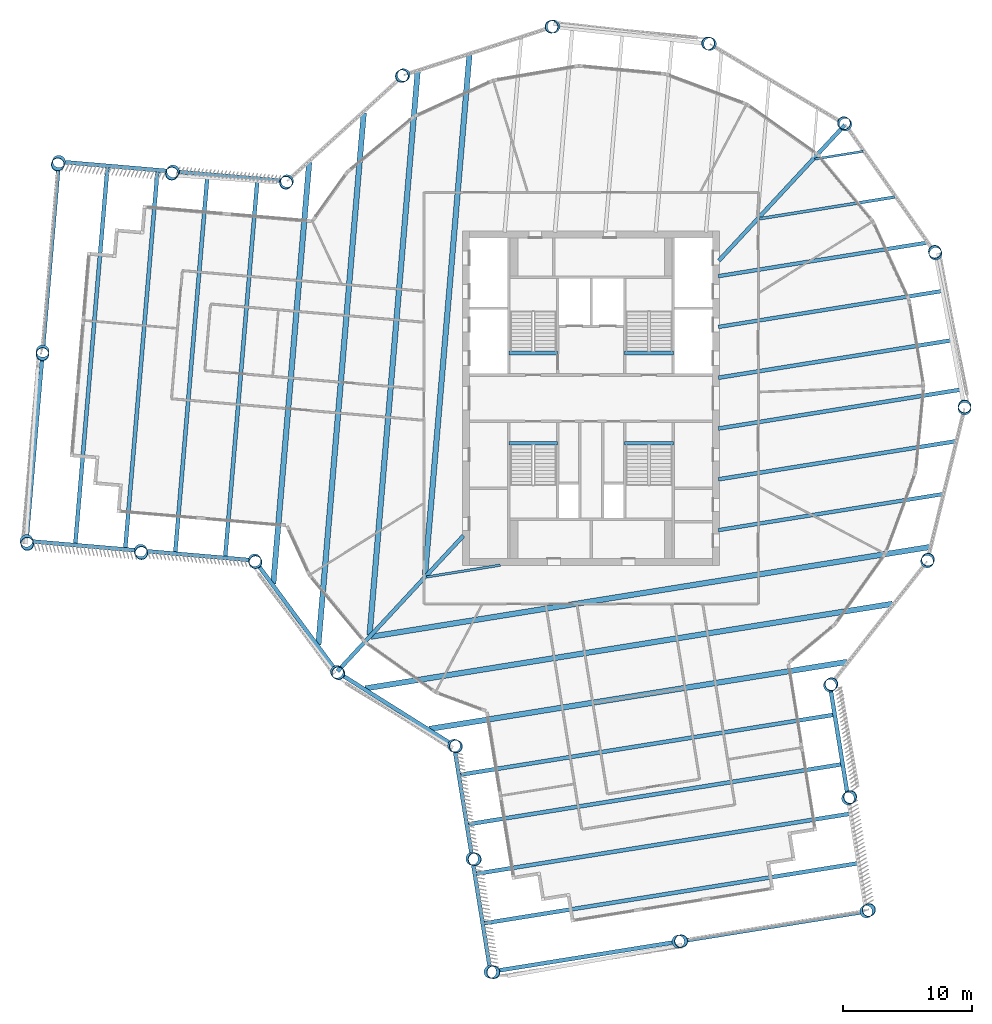
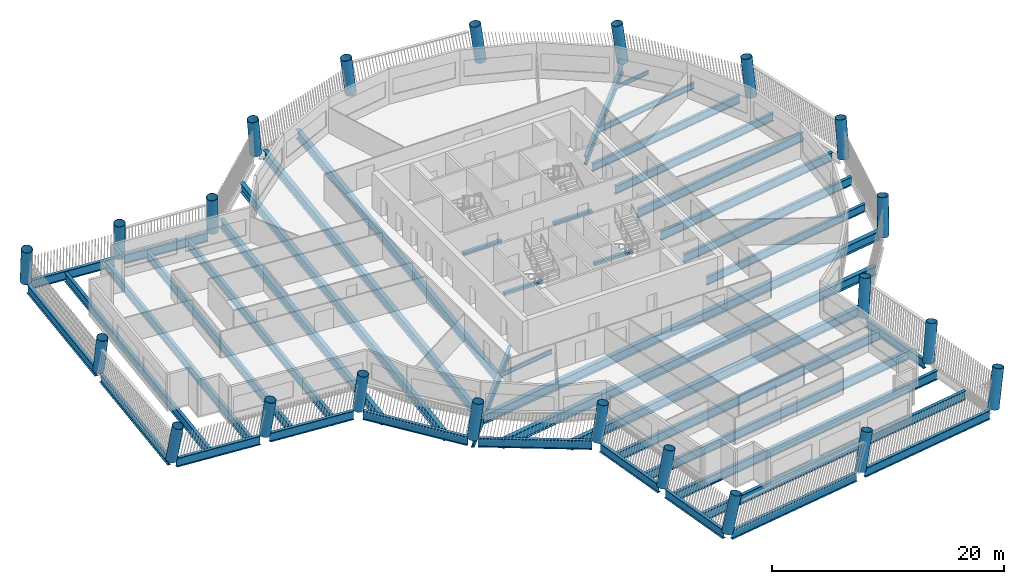
# One storey, part 1 of 14: 43 beams, 22 columns.
"""IFC4 building model written with IfcOpenShell, lengths in metres."""

from ifc_helpers import new_model, si_unit, direction, frame, origin, origin_2d, place, context, subcontext, project, spatial, rectangle, hollow_circle, i_section, extrude, material, material_profile, profile_set, type_object, element, save


model = new_model("IFC4")

# Units and contexts
model_context = context("Model", 3, precision=1e-05, world=origin(), true_north=direction((0.0, 1.0)))
body_context = subcontext(model_context, "Body", "Model", "MODEL_VIEW")
ifc_project = project(units=[si_unit("LENGTHUNIT", "METRE"), si_unit("AREAUNIT", "SQUARE_METRE"), si_unit("VOLUMEUNIT", "CUBIC_METRE"), si_unit("PLANEANGLEUNIT", "RADIAN"), si_unit("MASSUNIT", "GRAM", prefix="KILO")], contexts=[model_context])

# Site, building, storey
site_placement = place(None, origin())
site = spatial("IfcSite", under=ifc_project, at=site_placement, CompositionType="ELEMENT")
building_placement = place(site_placement, origin())
building = spatial("IfcBuilding", under=site, at=building_placement, Name="Tarsis Ring Headquarters", CompositionType="ELEMENT")
storey_placement = place(building_placement, frame((0.0, 0.0, 266.89990234375)))
storey = spatial("IfcBuildingStorey", under=building, at=storey_placement, Name="L62", CompositionType="ELEMENT", Elevation=266.89990234375)

# Columns
ifc_material_1 = material(Name="Structural steel S355", Category="steel")
ifc_material_profile_1 = material_profile(ifc_material_1, hollow_circle(Radius=0.508056640625, WallThickness=0.0400390625, at=origin_2d()), Name="CHS 1016x40")
ifc_profile_set_1 = profile_set([ifc_material_profile_1], Name="Structural steel S355")
column_type = type_object("IfcColumnType", Name="XC Exo column CHS 1016x40", PredefinedType="COLUMN", material=ifc_profile_set_1)
for number, where, z_axis, x_axis, name in (
    (1, (-19.766357421875, -21.286376953125, 0.001220703125), (0.095221337666, -0.086898011347, 0.991656005113), (0.674086544275, 0.73865237482, 0.0), "Exo column XC6 F1"),
    (2, (-10.65087890625, -27.025390625, 0.001220703125), (0.120315959676, -0.046213254517, 0.991659419838), (0.358559213518, 0.933506984656, 0.0), "Exo column XC6 AK"),
):
    element("IfcColumn", number, at=place(storey_placement, frame(where, z_axis=z_axis, x_axis=x_axis)), inside=storey, type_object=column_type, Name=name, PredefinedType="COLUMN", context=body_context, shape_type="SweptSolid", body=[
        extrude(hollow_circle(Radius=0.508056640625, WallThickness=0.0400390625, at=origin_2d()), origin(), (0.0, 0.0, 1.0), 3.930419921875),
    ])
column_1_placement = place(storey_placement, frame((-9.23974609375, -35.815185546875, 0.00146484375), z_axis=(0.158465394604, -0.039430936723, 0.986576869758), x_axis=(0.241466843515, 0.970409070177, 0.0)))
element("IfcColumn", 3, at=column_1_placement, inside=storey, type_object=column_type, Name="Exo column XC6 AI1", PredefinedType="COLUMN", context=body_context, shape_type="SweptSolid", body=[
    extrude(hollow_circle(Radius=0.508056640625, WallThickness=0.0400390625, at=origin_2d()), origin(), (0.0, 0.0, 1.0), 3.9501953125),
])
column_2_placement = place(storey_placement, frame((-7.82861328125, -44.604736328125, 0.001708984375), z_axis=(0.195928823654, -0.03266503735, 0.980073921394), x_axis=(0.16444911383, 0.986385568102, 0.0)))
element("IfcColumn", 4, at=column_2_placement, inside=storey, type_object=column_type, Name="Exo column XC6 AT1", PredefinedType="COLUMN", context=body_context, shape_type="SweptSolid", body=[
    extrude(hollow_circle(Radius=0.508056640625, WallThickness=0.0400390625, at=origin_2d()), origin(), (0.0, 0.0, 1.0), 3.976318359375),
])
column_3_placement = place(storey_placement, frame((6.7841796875, -42.2587890625, 0.00146484375), z_axis=(0.185442106243, 0.031378724016, 0.982154061699), x_axis=(-0.166838732781, 0.985984197259, 0.0)))
element("IfcColumn", 5, at=column_3_placement, inside=storey, type_object=column_type, Name="Exo column XC6 AT2", PredefinedType="COLUMN", context=body_context, shape_type="SweptSolid", body=[
    extrude(hollow_circle(Radius=0.508056640625, WallThickness=0.0400390625, at=origin_2d()), origin(), (0.0, 0.0, 1.0), 3.968017578125),
])
column_4_placement = place(storey_placement, frame((21.39697265625, -39.912841796875, 0.001708984375), z_axis=(0.174254286163, 0.095354794366, 0.980072908995), x_axis=(-0.480042833881, 0.877245049938, 0.0)))
element("IfcColumn", 6, at=column_4_placement, inside=storey, type_object=column_type, Name="Exo column XC6 AT3", PredefinedType="COLUMN", context=body_context, shape_type="SweptSolid", body=[
    extrude(hollow_circle(Radius=0.508056640625, WallThickness=0.0400390625, at=origin_2d()), origin(), (0.0, 0.0, 1.0), 3.976318359375),
])
column_5_placement = place(storey_placement, frame((19.986083984375, -31.123291015625, 0.00146484375), z_axis=(0.136587629935, 0.089430905211, 0.98658295776), x_axis=(-0.547779632603, 0.836622659331, 0.0)))
element("IfcColumn", 7, at=column_5_placement, inside=storey, type_object=column_type, Name="Exo column XC6 AO1", PredefinedType="COLUMN", context=body_context, shape_type="SweptSolid", body=[
    extrude(hollow_circle(Radius=0.508056640625, WallThickness=0.0400390625, at=origin_2d()), origin(), (0.0, 0.0, 1.0), 3.9501953125),
])
for number, where, z_axis, x_axis, name in (
    (8, (18.574951171875, -22.33349609375, 0.001220703125), (0.098389161897, 0.083295370015, 0.991655915202), (-0.646136614783, 0.763221773167, 0.0), "Exo column XC6 AJ"),
    (9, (26.129150390625, -12.691650390625, 0.001220703125), (0.055344072254, 0.116402683956, 0.991658937757), (-0.903118686514, 0.429391008369, 0.0), "Exo column XC6 R1"),
    (10, (29.03759765625, -0.793212890625, 0.001220703125), (0.002422461318, 0.128887364999, 0.991656280586), (-0.999823417374, 0.018791861821, 0.0), "Exo column XC6 R2"),
    (11, (26.783203125, 11.246337890625, 0.001220703125), (-0.050995567823, 0.118451337197, 0.991649500972), (-0.918496058624, -0.395430133262, 0.0), "Exo column XC6 R3"),
    (12, (19.766357421875, 21.286376953125, 0.001220703125), (-0.095221337666, 0.086898011347, 0.991656005113), (-0.674086544275, -0.73865237482, 0.0), "Exo column XC6 R4"),
    (13, (9.235107421875, 27.54150390625, 0.001220703125), (-0.122552229582, 0.039877613478, 0.991660590609), (-0.309423894083, -0.950924210319, 0.0), "Exo column XC6 R5"),
    (14, (-2.938232421875, 28.8994140625, 0.001220703125), (-0.128141905272, -0.014099957584, 0.991655607209), (0.109373803471, -0.994000689695, 0.0), "Exo column XC6 R6"),
    (15, (-14.589111328125, 25.119140625, 0.001220703125), (-0.11087452412, -0.06571722494, 0.991659259145), (0.509881649677, -0.860244560182, 0.0), "Exo column XC6 R7"),
    (16, (-23.64599609375, 16.87255859375, 0.001220703125), (-0.073978051271, -0.105594195769, 0.991653726736), (0.819005522774, -0.573785633896, 0.0), "Exo column XC6 BJ"),
):
    element("IfcColumn", number, at=place(storey_placement, frame(where, z_axis=z_axis, x_axis=x_axis)), inside=storey, type_object=column_type, Name=name, PredefinedType="COLUMN", context=body_context, shape_type="SweptSolid", body=[
        extrude(hollow_circle(Radius=0.508056640625, WallThickness=0.0400390625, at=origin_2d()), origin(), (0.0, 0.0, 1.0), 3.930419921875),
    ])
column_6_placement = place(storey_placement, frame((-32.515869140625, 17.6298828125, 0.00146484375), z_axis=(-0.076636342508, -0.14424937372, 0.98656930278), x_axis=(0.88310592152, -0.469173668674, 0.0)))
element("IfcColumn", 17, at=column_6_placement, inside=storey, type_object=column_type, Name="Exo column XC6 BO1", PredefinedType="COLUMN", context=body_context, shape_type="SweptSolid", body=[
    extrude(hollow_circle(Radius=0.508056640625, WallThickness=0.0400390625, at=origin_2d()), origin(), (0.0, 0.0, 1.0), 3.9501953125),
])
column_7_placement = place(storey_placement, frame((-41.385986328125, 18.386962890625, 0.001708984375), z_axis=(-0.079023274954, -0.182177200301, 0.980085093094), x_axis=(0.917408915064, -0.397945828678, 0.0)))
element("IfcColumn", 18, at=column_7_placement, inside=storey, type_object=column_type, Name="Exo column XC6 BT3", PredefinedType="COLUMN", context=body_context, shape_type="SweptSolid", body=[
    extrude(hollow_circle(Radius=0.508056640625, WallThickness=0.0400390625, at=origin_2d()), origin(), (0.0, 0.0, 1.0), 3.97607421875),
])
column_8_placement = place(storey_placement, frame((-42.644775390625, 3.640625, 0.00146484375), z_axis=(-0.014397276082, -0.187533749988, 0.982152641424), x_axis=(0.997066019666, -0.076546407022, 0.0)))
element("IfcColumn", 19, at=column_8_placement, inside=storey, type_object=column_type, Name="Exo column XC6 BT2", PredefinedType="COLUMN", context=body_context, shape_type="SweptSolid", body=[
    extrude(hollow_circle(Radius=0.508056640625, WallThickness=0.0400390625, at=origin_2d()), origin(), (0.0, 0.0, 1.0), 3.968017578125),
])
column_9_placement = place(storey_placement, frame((-43.90380859375, -11.105712890625, 0.001708984375), z_axis=(0.05040984449, -0.192122294044, 0.980075441846), x_axis=(0.967258478827, 0.253793292144, 0.0)))
element("IfcColumn", 20, at=column_9_placement, inside=storey, type_object=column_type, Name="Exo column XC6 BT1", PredefinedType="COLUMN", context=body_context, shape_type="SweptSolid", body=[
    extrude(hollow_circle(Radius=0.508056640625, WallThickness=0.0400390625, at=origin_2d()), origin(), (0.0, 0.0, 1.0), 3.976318359375),
])
column_10_placement = place(storey_placement, frame((-35.033935546875, -11.86279296875, 0.00146484375), z_axis=(0.053768866026, -0.154261022529, 0.98656598663), x_axis=(0.944282236595, 0.329136837275, 0.0)))
element("IfcColumn", 21, at=column_10_placement, inside=storey, type_object=column_type, Name="Exo column XC6 BI1", PredefinedType="COLUMN", context=body_context, shape_type="SweptSolid", body=[
    extrude(hollow_circle(Radius=0.508056640625, WallThickness=0.0400390625, at=origin_2d()), origin(), (0.0, 0.0, 1.0), 3.9501953125),
])
column_11_placement = place(storey_placement, frame((-26.163818359375, -12.6201171875, 0.001220703125), z_axis=(0.057021133673, -0.115595130464, 0.991658386809), x_axis=(0.896823729797, 0.442388062307, 0.0)))
element("IfcColumn", 22, at=column_11_placement, inside=storey, type_object=column_type, Name="Exo column XC6 BK", PredefinedType="COLUMN", context=body_context, shape_type="SweptSolid", body=[
    extrude(hollow_circle(Radius=0.508056640625, WallThickness=0.0400390625, at=origin_2d()), origin(), (0.0, 0.0, 1.0), 3.930419921875),
])

# Beams
ifc_material_profile_2 = material_profile(ifc_material_1, i_section(OverallWidth=0.177734375, OverallDepth=0.406494140625, WebThickness=0.0078125, FlangeThickness=0.0126953125, at=origin_2d()), Name="W16x40")
ifc_profile_set_2 = profile_set([ifc_material_profile_2], Name="Structural steel S355")
beam_type_1 = type_object("IfcBeamType", Name="FB Floor beam W16x40", PredefinedType="JOIST", material=ifc_profile_set_2)
beam_1_placement = place(storey_placement, frame((17.391845703125, 18.591552734375, -0.363037109375), z_axis=(0.987352798336, 0.158538486236, 0.0), x_axis=(-0.158538486236, 0.987352798336, 0.0)))
element("IfcBeam", 23, at=beam_1_placement, inside=storey, type_object=beam_type_1, Name="Floor beam FB1", PredefinedType="JOIST", context=body_context, shape_type="SweptSolid", body=[
    extrude(i_section(OverallWidth=0.177734375, OverallDepth=0.406494140625, WebThickness=0.0078125, FlangeThickness=0.0126953125, at=origin_2d()), origin(), (0.0, 0.0, 1.0), 3.80517578125),
])
ifc_material_profile_3 = material_profile(ifc_material_1, i_section(OverallWidth=0.1904296875, OverallDepth=0.457275390625, WebThickness=0.009033203125, FlangeThickness=0.014404296875, at=origin_2d()), Name="W18x50")
ifc_profile_set_3 = profile_set([ifc_material_profile_3], Name="Structural steel S355")
beam_type_2 = type_object("IfcBeamType", Name="FB Floor beam W18x50", PredefinedType="JOIST", material=ifc_profile_set_3)
beam_2_placement = place(storey_placement, frame((-12.78173828125, -13.901611328125, -0.388427734375), z_axis=(0.987359969693, 0.158493817697, 0.0), x_axis=(-0.158493817697, 0.987359969693, 0.0)))
element("IfcBeam", 24, at=beam_2_placement, inside=storey, type_object=beam_type_2, Name="Floor beam FB2", PredefinedType="JOIST", context=body_context, shape_type="SweptSolid", body=[
    extrude(i_section(OverallWidth=0.1904296875, OverallDepth=0.457275390625, WebThickness=0.009033203125, FlangeThickness=0.014404296875, at=origin_2d()), origin(), (0.0, 0.0, 1.0), 5.788818359375),
])
ifc_material_profile_4 = material_profile(ifc_material_1, i_section(OverallWidth=0.228271484375, OverallDepth=0.607177734375, WebThickness=0.01123046875, FlangeThickness=0.017333984375, at=origin_2d()), Name="W24x76")
ifc_profile_set_4 = profile_set([ifc_material_profile_4], Name="Structural steel S355")
beam_type_3 = type_object("IfcBeamType", Name="FB Floor beam W24x76", PredefinedType="JOIST", material=ifc_profile_set_4)
beam_3_placement = place(storey_placement, frame((13.081298828125, 13.94970703125, -0.46337890625), z_axis=(0.987357652699, 0.158508251065, 0.0), x_axis=(-0.158508251065, 0.987357652699, 0.0)))
element("IfcBeam", 25, at=beam_3_placement, inside=storey, type_object=beam_type_3, Name="Floor beam FB4", PredefinedType="JOIST", context=body_context, shape_type="SweptSolid", body=[
    extrude(i_section(OverallWidth=0.228271484375, OverallDepth=0.607177734375, WebThickness=0.01123046875, FlangeThickness=0.017333984375, at=origin_2d()), origin(), (0.0, 0.0, 1.0), 10.6845703125),
])
ifc_material_profile_5 = material_profile(ifc_material_1, i_section(OverallWidth=0.2919921875, OverallDepth=0.835693359375, WebThickness=0.013916015625, FlangeThickness=0.018798828125, at=origin_2d()), Name="W33x118")
ifc_profile_set_5 = profile_set([ifc_material_profile_5], Name="Structural steel S355")
beam_type_4 = type_object("IfcBeamType", Name="FB Floor beam W33x118", PredefinedType="JOIST", material=ifc_profile_set_5)
beam_4_placement = place(storey_placement, frame((9.9013671875, 9.4892578125, -0.57763671875), z_axis=(0.987358102431, 0.158505449632, 0.0), x_axis=(-0.158505449632, 0.987358102431, 0.0)))
element("IfcBeam", 26, at=beam_4_placement, inside=storey, type_object=beam_type_4, Name="Floor beam FB7", PredefinedType="JOIST", context=body_context, shape_type="SweptSolid", body=[
    extrude(i_section(OverallWidth=0.2919921875, OverallDepth=0.835693359375, WebThickness=0.013916015625, FlangeThickness=0.018798828125, at=origin_2d()), origin(), (0.0, 0.0, 1.0), 16.419189453125),
])
beam_5_placement = place(storey_placement, frame((9.9013671875, 5.539306640625, -0.57763671875), z_axis=(0.987358499803, 0.158502974314, 0.0), x_axis=(-0.158502974314, 0.987358499803, 0.0)))
element("IfcBeam", 27, at=beam_5_placement, inside=storey, type_object=beam_type_4, Name="Floor beam FB7", PredefinedType="JOIST", context=body_context, shape_type="SweptSolid", body=[
    extrude(i_section(OverallWidth=0.2919921875, OverallDepth=0.835693359375, WebThickness=0.013916015625, FlangeThickness=0.018798828125, at=origin_2d()), origin(), (0.0, 0.0, 1.0), 17.5947265625),
])
beam_6_placement = place(storey_placement, frame((9.9013671875, -10.26025390625, -0.57763671875), z_axis=(0.987357962792, 0.158506319466, 0.0), x_axis=(-0.158506319466, 0.987357962792, 0.0)))
element("IfcBeam", 28, at=beam_6_placement, inside=storey, type_object=beam_type_4, Name="Floor beam FB7", PredefinedType="JOIST", context=body_context, shape_type="SweptSolid", body=[
    extrude(i_section(OverallWidth=0.2919921875, OverallDepth=0.835693359375, WebThickness=0.013916015625, FlangeThickness=0.018798828125, at=origin_2d()), origin(), (0.0, 0.0, 1.0), 17.665283203125),
])
ifc_material_profile_6 = material_profile(ifc_material_1, i_section(OverallWidth=0.3046875, OverallDepth=0.904296875, WebThickness=0.01513671875, FlangeThickness=0.02001953125, at=origin_2d()), Name="W36x135")
ifc_profile_set_6 = profile_set([ifc_material_profile_6], Name="Structural steel S355")
beam_type_5 = type_object("IfcBeamType", Name="FB Floor beam W36x135", PredefinedType="JOIST", material=ifc_profile_set_6)
beam_7_placement = place(storey_placement, frame((9.9013671875, 1.58935546875, -0.612060546875), z_axis=(0.987356676353, 0.158514332666, 0.0), x_axis=(-0.158514332666, 0.987356676353, 0.0)))
element("IfcBeam", 29, at=beam_7_placement, inside=storey, type_object=beam_type_5, Name="Floor beam FB8", PredefinedType="JOIST", context=body_context, shape_type="SweptSolid", body=[
    extrude(i_section(OverallWidth=0.3046875, OverallDepth=0.904296875, WebThickness=0.01513671875, FlangeThickness=0.02001953125, at=origin_2d()), origin(), (0.0, 0.0, 1.0), 18.322021484375),
])
beam_8_placement = place(storey_placement, frame((9.9013671875, -2.3603515625, -0.612060546875), z_axis=(0.987359003737, 0.158499835138, 0.0), x_axis=(-0.158499835138, 0.987359003737, 0.0)))
element("IfcBeam", 30, at=beam_8_placement, inside=storey, type_object=beam_type_5, Name="Floor beam FB8", PredefinedType="JOIST", context=body_context, shape_type="SweptSolid", body=[
    extrude(i_section(OverallWidth=0.3046875, OverallDepth=0.904296875, WebThickness=0.01513671875, FlangeThickness=0.02001953125, at=origin_2d()), origin(), (0.0, 0.0, 1.0), 19.049072265625),
])
beam_9_placement = place(storey_placement, frame((9.9013671875, -6.310302734375, -0.612060546875), z_axis=(0.987359856401, 0.158494523462, 0.0), x_axis=(-0.158494523462, 0.987359856401, 0.0)))
element("IfcBeam", 31, at=beam_9_placement, inside=storey, type_object=beam_type_5, Name="Floor beam FB8", PredefinedType="JOIST", context=body_context, shape_type="SweptSolid", body=[
    extrude(i_section(OverallWidth=0.3046875, OverallDepth=0.904296875, WebThickness=0.01513671875, FlangeThickness=0.02001953125, at=origin_2d()), origin(), (0.0, 0.0, 1.0), 18.68310546875),
])
ifc_material_profile_7 = material_profile(ifc_material_1, i_section(OverallWidth=0.309814453125, OverallDepth=0.949951171875, WebThickness=0.0244140625, FlangeThickness=0.0439453125, at=origin_2d()), Name="W36x256")
ifc_profile_set_7 = profile_set([ifc_material_profile_7], Name="Structural steel S355")
beam_type_6 = type_object("IfcBeamType", Name="FB Floor beam W36x256", PredefinedType="JOIST", material=ifc_profile_set_7)
for number, where, z_axis, x_axis, name in (
    (32, (-10.2314453125, -29.2919921875, -0.635009765625), (0.987358149299, 0.158505157688, 0.0), (-0.158505157688, 0.987358149299, 0.0), "Floor beam FB11"),
    (33, (-9.61328125, -33.142822265625, -0.635009765625), (0.987358149299, 0.158505157688, 0.0), (-0.158505157688, 0.987358149299, 0.0), "Floor beam FB11"),
    (34, (-8.9951171875, -36.993408203125, -0.635009765625), (0.987358149299, 0.158505157688, 0.0), (-0.158505157688, 0.987358149299, 0.0), "Floor beam FB11"),
    (35, (-8.376953125, -40.843994140625, -0.635009765625), (0.987359444905, 0.158497086906, 0.0), (-0.158497086906, 0.987359444905, 0.0), "Floor beam FB11"),
    (36, (-25.94677734375, 17.013916015625, -0.635009765625), (-0.085064417072, -0.996375453807, 0.0), (0.996375453807, -0.085064417072, 0.0), "Floor beam FB11"),
    (37, (-29.83251953125, 17.345703125, -0.635009765625), (-0.085072635934, -0.996374752096, 0.0), (0.996374752096, -0.085072635934, 0.0), "Floor beam FB11"),
    (38, (-33.718505859375, 17.677490234375, -0.635009765625), (-0.085064417072, -0.996375453807, 0.0), (0.996375453807, -0.085064417072, 0.0), "Floor beam FB11"),
):
    element("IfcBeam", number, at=place(storey_placement, frame(where, z_axis=z_axis, x_axis=x_axis)), inside=storey, type_object=beam_type_6, Name=name, PredefinedType="JOIST", context=body_context, shape_type="SweptSolid", body=[
        extrude(i_section(OverallWidth=0.309814453125, OverallDepth=0.949951171875, WebThickness=0.0244140625, FlangeThickness=0.0439453125, at=origin_2d()), origin(), (0.0, 0.0, 1.0), 29.489990234375),
    ])
beam_10_placement = place(storey_placement, frame((-37.604248046875, 18.00927734375, -0.635009765625), z_axis=(-0.085071934196, -0.996374812012, 0.0), x_axis=(0.996374812012, -0.085071934196, 0.0)))
element("IfcBeam", 39, at=beam_10_placement, inside=storey, type_object=beam_type_6, Name="Floor beam FB11", PredefinedType="JOIST", context=body_context, shape_type="SweptSolid", body=[
    extrude(i_section(OverallWidth=0.309814453125, OverallDepth=0.949951171875, WebThickness=0.0244140625, FlangeThickness=0.0439453125, at=origin_2d()), origin(), (0.0, 0.0, 1.0), 29.490234375),
])
beam_type_7 = type_object("IfcBeamType", Name="FB Floor beam W36x256 spine", PredefinedType="BEAM", material=ifc_profile_set_7)
beam_11_placement = place(storey_placement, frame((-9.931884765625, -10.695556640625, -0.635009765625), z_axis=(-0.680470614785, -0.732775369683, 0.0), x_axis=(0.732775369683, -0.680470614785, 0.0)))
element("IfcBeam", 40, at=beam_11_placement, inside=storey, type_object=beam_type_7, Name="Floor beam SB11", PredefinedType="BEAM", context=body_context, shape_type="SweptSolid", body=[
    extrude(i_section(OverallWidth=0.309814453125, OverallDepth=0.949951171875, WebThickness=0.0244140625, FlangeThickness=0.0439453125, at=origin_2d()), origin(), (0.0, 0.0, 1.0), 14.39501953125),
])
beam_12_placement = place(storey_placement, frame((19.726806640625, 21.243408203125, -0.635009765625), z_axis=(-0.680469314646, -0.732776577018, 0.0), x_axis=(0.732776577018, -0.680469314646, 0.0)))
element("IfcBeam", 41, at=beam_12_placement, inside=storey, type_object=beam_type_7, Name="Floor beam SB11", PredefinedType="BEAM", context=body_context, shape_type="SweptSolid", body=[
    extrude(i_section(OverallWidth=0.309814453125, OverallDepth=0.949951171875, WebThickness=0.0244140625, FlangeThickness=0.0439453125, at=origin_2d()), origin(), (0.0, 0.0, 1.0), 14.394287109375),
])
ifc_material_profile_8 = material_profile(ifc_material_1, i_section(OverallWidth=0.42431640625, OverallDepth=0.947509765625, WebThickness=0.02392578125, FlangeThickness=0.042724609375, at=origin_2d()), Name="W36x302")
ifc_profile_set_8 = profile_set([ifc_material_profile_8], Name="Structural steel S355")
beam_type_8 = type_object("IfcBeamType", Name="FB Floor beam W36x302", PredefinedType="JOIST", material=ifc_profile_set_8)
beam_13_placement = place(storey_placement, frame((-17.09228515625, -18.543701171875, -0.633544921875), z_axis=(0.987357995767, 0.158506114064, 0.0), x_axis=(-0.158506114064, 0.987357995767, 0.0)))
element("IfcBeam", 42, at=beam_13_placement, inside=storey, type_object=beam_type_8, Name="Floor beam FB12", PredefinedType="JOIST", context=body_context, shape_type="SweptSolid", body=[
    extrude(i_section(OverallWidth=0.42431640625, OverallDepth=0.947509765625, WebThickness=0.02392578125, FlangeThickness=0.042724609375, at=origin_2d()), origin(), (0.0, 0.0, 1.0), 43.98681640625),
])
beam_14_placement = place(storey_placement, frame((-17.562255859375, -22.56884765625, -0.633544921875), z_axis=(0.987358828344, 0.158500927729, 0.0), x_axis=(-0.158500927729, 0.987358828344, 0.0)))
element("IfcBeam", 43, at=beam_14_placement, inside=storey, type_object=beam_type_8, Name="Floor beam FB12", PredefinedType="JOIST", context=body_context, shape_type="SweptSolid", body=[
    extrude(i_section(OverallWidth=0.42431640625, OverallDepth=0.947509765625, WebThickness=0.02392578125, FlangeThickness=0.042724609375, at=origin_2d()), origin(), (0.0, 0.0, 1.0), 41.523681640625),
])
beam_15_placement = place(storey_placement, frame((-12.563232421875, -25.71630859375, -0.633544921875), z_axis=(0.987359171308, 0.158498791269, 0.0), x_axis=(-0.158498791269, 0.987359171308, 0.0)))
element("IfcBeam", 44, at=beam_15_placement, inside=storey, type_object=beam_type_8, Name="Floor beam FB12", PredefinedType="JOIST", context=body_context, shape_type="SweptSolid", body=[
    extrude(i_section(OverallWidth=0.42431640625, OverallDepth=0.947509765625, WebThickness=0.02392578125, FlangeThickness=0.042724609375, at=origin_2d()), origin(), (0.0, 0.0, 1.0), 32.875244140625),
])
beam_16_placement = place(storey_placement, frame((-9.46142578125, 26.716796875, -0.633544921875), z_axis=(-0.085073300219, -0.996374695378, 0.0), x_axis=(0.996374695378, -0.085073300219, 0.0)))
element("IfcBeam", 45, at=beam_16_placement, inside=storey, type_object=beam_type_8, Name="Floor beam FB12", PredefinedType="JOIST", context=body_context, shape_type="SweptSolid", body=[
    extrude(i_section(OverallWidth=0.42431640625, OverallDepth=0.947509765625, WebThickness=0.02392578125, FlangeThickness=0.042724609375, at=origin_2d()), origin(), (0.0, 0.0, 1.0), 40.638671875),
])
beam_17_placement = place(storey_placement, frame((-13.4873046875, 25.41064453125, -0.633544921875), z_axis=(-0.085070072749, -0.996374970943, 0.0), x_axis=(0.996374970943, -0.085070072749, 0.0)))
element("IfcBeam", 46, at=beam_17_placement, inside=storey, type_object=beam_type_8, Name="Floor beam FB12", PredefinedType="JOIST", context=body_context, shape_type="SweptSolid", body=[
    extrude(i_section(OverallWidth=0.42431640625, OverallDepth=0.947509765625, WebThickness=0.02392578125, FlangeThickness=0.042724609375, at=origin_2d()), origin(), (0.0, 0.0, 1.0), 43.986572265625),
])
beam_18_placement = place(storey_placement, frame((-17.67626953125, 22.1904296875, -0.633544921875), z_axis=(-0.085070948999, -0.996374896129, 0.0), x_axis=(0.996374896129, -0.085070948999, 0.0)))
element("IfcBeam", 47, at=beam_18_placement, inside=storey, type_object=beam_type_8, Name="Floor beam FB12", PredefinedType="JOIST", context=body_context, shape_type="SweptSolid", body=[
    extrude(i_section(OverallWidth=0.42431640625, OverallDepth=0.947509765625, WebThickness=0.02392578125, FlangeThickness=0.042724609375, at=origin_2d()), origin(), (0.0, 0.0, 1.0), 41.52392578125),
])
beam_19_placement = place(storey_placement, frame((-21.92041015625, 18.326171875, -0.633544921875), z_axis=(-0.085067287887, -0.99637520871, 0.0), x_axis=(0.99637520871, -0.085067287887, 0.0)))
element("IfcBeam", 48, at=beam_19_placement, inside=storey, type_object=beam_type_8, Name="Floor beam FB12", PredefinedType="JOIST", context=body_context, shape_type="SweptSolid", body=[
    extrude(i_section(OverallWidth=0.42431640625, OverallDepth=0.947509765625, WebThickness=0.02392578125, FlangeThickness=0.042724609375, at=origin_2d()), origin(), (0.0, 0.0, 1.0), 32.87548828125),
])
ifc_material_2 = material(Name="Concrete C40/50", Category="concrete")
ifc_material_profile_9 = material_profile(ifc_material_2, rectangle(XDim=0.300048828125, YDim=0.300048828125, at=origin_2d()), Name="Stair head beam 300x300 C40/50")
ifc_profile_set_9 = profile_set([ifc_material_profile_9], Name="Concrete C40/50")
beam_type_9 = type_object("IfcBeamType", Name="Stair head beam 300x300 C40/50", PredefinedType="BEAM", material=ifc_profile_set_9)
for number, where, z_axis, x_axis, name in (
    (49, (-6.39990234375, 3.510009765625, -0.309814453125), (1.0, 0.0, 0.0), (0.0, 1.0, 0.0), "Stair head beam L62 Firefighting stair"),
    (50, (2.60009765625, 3.510009765625, -0.309814453125), (1.0, 0.0, 0.0), (0.0, 1.0, 0.0), "Stair head beam L62 Exit stair B"),
    (51, (-6.39990234375, -3.510009765625, -0.309814453125), (1.0, 0.0, 0.0), (0.0, 1.0, 0.0), "Stair head beam L62 Exit stair C"),
    (52, (2.60009765625, -3.510009765625, -0.309814453125), (1.0, 0.0, 0.0), (0.0, 1.0, 0.0), "Stair head beam L62 Exit stair D"),
):
    element("IfcBeam", number, at=place(storey_placement, frame(where, z_axis=z_axis, x_axis=x_axis)), inside=storey, type_object=beam_type_9, Name=name, PredefinedType="BEAM", context=body_context, shape_type="SweptSolid", body=[
        extrude(rectangle(XDim=0.300048828125, YDim=0.300048828125, at=origin_2d()), origin(), (0.0, 0.0, 1.0), 3.7998046875),
    ])
ifc_material_profile_10 = material_profile(ifc_material_1, i_section(OverallWidth=0.309814453125, OverallDepth=0.93212890625, WebThickness=0.02099609375, FlangeThickness=0.034423828125, at=origin_2d()), Name="W36x210")
ifc_profile_set_10 = profile_set([ifc_material_profile_10], Name="Structural steel S355")
beam_type_10 = type_object("IfcBeamType", Name="XG Ring girder W36x210", PredefinedType="BEAM", material=ifc_profile_set_10)
beam_20_placement = place(storey_placement, frame((-19.379638671875, -21.52978515625, -0.466064453125), z_axis=(0.846246074959, -0.53279224902, 0.0), x_axis=(0.53279224902, 0.846246074959, 0.0)))
element("IfcBeam", 53, at=beam_20_placement, inside=storey, type_object=beam_type_10, Name="Ring girder XG3", PredefinedType="BEAM", context=body_context, shape_type="SweptSolid", body=[
    extrude(i_section(OverallWidth=0.309814453125, OverallDepth=0.93212890625, WebThickness=0.02099609375, FlangeThickness=0.034423828125, at=origin_2d()), origin(), (0.0, 0.0, 1.0), 9.857421875),
])
beam_21_placement = place(storey_placement, frame((-10.57861328125, -27.476806640625, -0.466064453125), z_axis=(0.158503052617, -0.987358487233, 0.0), x_axis=(0.987358487233, 0.158503052617, 0.0)))
element("IfcBeam", 54, at=beam_21_placement, inside=storey, type_object=beam_type_10, Name="Ring girder XG3", PredefinedType="BEAM", context=body_context, shape_type="SweptSolid", body=[
    extrude(i_section(OverallWidth=0.309814453125, OverallDepth=0.93212890625, WebThickness=0.02099609375, FlangeThickness=0.034423828125, at=origin_2d()), origin(), (0.0, 0.0, 1.0), 7.988037109375),
])
beam_22_placement = place(storey_placement, frame((-9.16748046875, -36.2666015625, -0.466064453125), z_axis=(0.158507835949, -0.987357719341, 0.0), x_axis=(0.987357719341, 0.158507835949, 0.0)))
element("IfcBeam", 55, at=beam_22_placement, inside=storey, type_object=beam_type_10, Name="Ring girder XG3", PredefinedType="BEAM", context=body_context, shape_type="SweptSolid", body=[
    extrude(i_section(OverallWidth=0.309814453125, OverallDepth=0.93212890625, WebThickness=0.02099609375, FlangeThickness=0.034423828125, at=origin_2d()), origin(), (0.0, 0.0, 1.0), 7.98779296875),
])
beam_23_placement = place(storey_placement, frame((-7.377685546875, -44.5322265625, -0.466064453125), z_axis=(0.987358540638, 0.158502719943, 0.0), x_axis=(-0.158502719943, 0.987358540638, 0.0)))
element("IfcBeam", 56, at=beam_23_placement, inside=storey, type_object=beam_type_10, Name="Ring girder XG3", PredefinedType="BEAM", context=body_context, shape_type="SweptSolid", body=[
    extrude(i_section(OverallWidth=0.309814453125, OverallDepth=0.93212890625, WebThickness=0.02099609375, FlangeThickness=0.034423828125, at=origin_2d()), origin(), (0.0, 0.0, 1.0), 13.8857421875),
])
beam_24_placement = place(storey_placement, frame((7.2353515625, -42.1865234375, -0.466064453125), z_axis=(0.987358098909, 0.158505471573, 0.0), x_axis=(-0.158505471573, 0.987358098909, 0.0)))
element("IfcBeam", 57, at=beam_24_placement, inside=storey, type_object=beam_type_10, Name="Ring girder XG3", PredefinedType="BEAM", context=body_context, shape_type="SweptSolid", body=[
    extrude(i_section(OverallWidth=0.309814453125, OverallDepth=0.93212890625, WebThickness=0.02099609375, FlangeThickness=0.034423828125, at=origin_2d()), origin(), (0.0, 0.0, 1.0), 13.885498046875),
])
beam_25_placement = place(storey_placement, frame((19.913330078125, -30.671875, -0.466064453125), z_axis=(-0.158507835949, 0.987357719341, 0.0), x_axis=(-0.987357719341, -0.158507835949, 0.0)))
element("IfcBeam", 58, at=beam_25_placement, inside=storey, type_object=beam_type_10, Name="Ring girder XG3", PredefinedType="BEAM", context=body_context, shape_type="SweptSolid", body=[
    extrude(i_section(OverallWidth=0.309814453125, OverallDepth=0.93212890625, WebThickness=0.02099609375, FlangeThickness=0.034423828125, at=origin_2d()), origin(), (0.0, 0.0, 1.0), 7.98779296875),
])
beam_26_placement = place(storey_placement, frame((-24.101318359375, 16.91162109375, -0.466064453125), z_axis=(-0.99637594025, 0.085058719071, 0.0), x_axis=(-0.085058719071, -0.99637594025, 0.0)))
element("IfcBeam", 59, at=beam_26_placement, inside=storey, type_object=beam_type_10, Name="Ring girder XG3", PredefinedType="BEAM", context=body_context, shape_type="SweptSolid", body=[
    extrude(i_section(OverallWidth=0.309814453125, OverallDepth=0.93212890625, WebThickness=0.02099609375, FlangeThickness=0.034423828125, at=origin_2d()), origin(), (0.0, 0.0, 1.0), 7.988037109375),
])
beam_27_placement = place(storey_placement, frame((-32.971435546875, 17.6689453125, -0.466064453125), z_axis=(-0.996375719113, 0.085061309436, 0.0), x_axis=(-0.085061309436, -0.996375719113, 0.0)))
element("IfcBeam", 60, at=beam_27_placement, inside=storey, type_object=beam_type_10, Name="Ring girder XG3", PredefinedType="BEAM", context=body_context, shape_type="SweptSolid", body=[
    extrude(i_section(OverallWidth=0.309814453125, OverallDepth=0.93212890625, WebThickness=0.02099609375, FlangeThickness=0.034423828125, at=origin_2d()), origin(), (0.0, 0.0, 1.0), 7.98779296875),
])
beam_28_placement = place(storey_placement, frame((-41.4248046875, 17.931884765625, -0.466064453125), z_axis=(-0.085062033352, -0.996375657311, 0.0), x_axis=(0.996375657311, -0.085062033352, 0.0)))
element("IfcBeam", 61, at=beam_28_placement, inside=storey, type_object=beam_type_10, Name="Ring girder XG3", PredefinedType="BEAM", context=body_context, shape_type="SweptSolid", body=[
    extrude(i_section(OverallWidth=0.309814453125, OverallDepth=0.93212890625, WebThickness=0.02099609375, FlangeThickness=0.034423828125, at=origin_2d()), origin(), (0.0, 0.0, 1.0), 13.8857421875),
])
beam_29_placement = place(storey_placement, frame((-42.683837890625, 3.185302734375, -0.466064453125), z_axis=(-0.085063523524, -0.996375530092, 0.0), x_axis=(0.996375530092, -0.085063523524, 0.0)))
element("IfcBeam", 62, at=beam_29_placement, inside=storey, type_object=beam_type_10, Name="Ring girder XG3", PredefinedType="BEAM", context=body_context, shape_type="SweptSolid", body=[
    extrude(i_section(OverallWidth=0.309814453125, OverallDepth=0.93212890625, WebThickness=0.02099609375, FlangeThickness=0.034423828125, at=origin_2d()), origin(), (0.0, 0.0, 1.0), 13.885498046875),
])
beam_30_placement = place(storey_placement, frame((-43.4482421875, -11.144287109375, -0.466064453125), z_axis=(0.996375719113, -0.085061309436, 0.0), x_axis=(0.085061309436, 0.996375719113, 0.0)))
element("IfcBeam", 63, at=beam_30_placement, inside=storey, type_object=beam_type_10, Name="Ring girder XG3", PredefinedType="BEAM", context=body_context, shape_type="SweptSolid", body=[
    extrude(i_section(OverallWidth=0.309814453125, OverallDepth=0.93212890625, WebThickness=0.02099609375, FlangeThickness=0.034423828125, at=origin_2d()), origin(), (0.0, 0.0, 1.0), 7.98779296875),
])
beam_31_placement = place(storey_placement, frame((-34.578369140625, -11.901611328125, -0.466064453125), z_axis=(0.99637594025, -0.085058719071, 0.0), x_axis=(0.085058719071, 0.99637594025, 0.0)))
element("IfcBeam", 64, at=beam_31_placement, inside=storey, type_object=beam_type_10, Name="Ring girder XG3", PredefinedType="BEAM", context=body_context, shape_type="SweptSolid", body=[
    extrude(i_section(OverallWidth=0.309814453125, OverallDepth=0.93212890625, WebThickness=0.02099609375, FlangeThickness=0.034423828125, at=origin_2d()), origin(), (0.0, 0.0, 1.0), 7.988037109375),
])
beam_32_placement = place(storey_placement, frame((-25.892333984375, -12.98779296875, -0.466064453125), z_axis=(0.593895813758, -0.804541958135, 0.0), x_axis=(0.804541958135, 0.593895813758, 0.0)))
element("IfcBeam", 65, at=beam_32_placement, inside=storey, type_object=beam_type_10, Name="Ring girder XG3", PredefinedType="BEAM", context=body_context, shape_type="SweptSolid", body=[
    extrude(i_section(OverallWidth=0.309814453125, OverallDepth=0.93212890625, WebThickness=0.02099609375, FlangeThickness=0.034423828125, at=origin_2d()), origin(), (0.0, 0.0, 1.0), 9.857421875),
])

save(model, "model.ifc")
